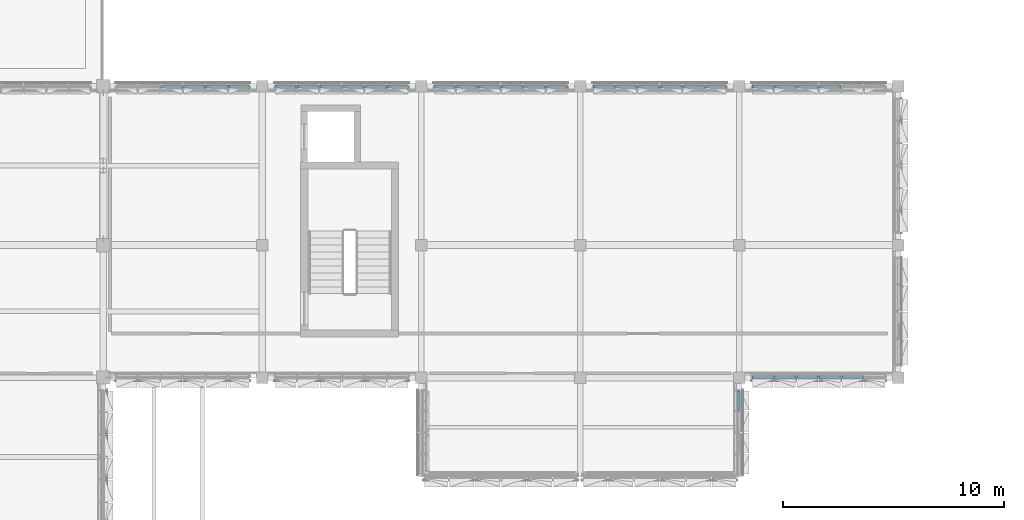
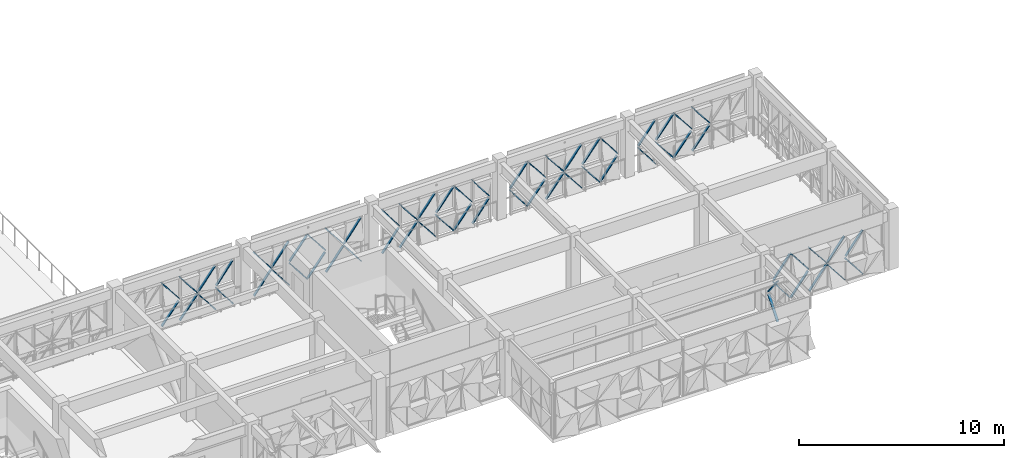
# One storey, part 61 of 99: 64 discrete accessories.
"""IFC4 building model written with IfcOpenShell, lengths in metres."""

import ifcopenshell
import ifcopenshell.guid

model = None  # the IFC model being written
_history = None  # IfcOwnerHistory: only IFC2X3 demands one
_inside = {}  # id of a spatial element -> (the spatial element, [elements in it])
_under = {}  # id of a project, library or spatial element -> (it, [spatial elements below it])
_declared = {}  # id of a project -> (the project, [libraries it declares])
_typed = {}  # id of a type object -> (the type object, [elements of that type])
_made_of = {}  # id of a material, layer set ... -> (it, [elements and type objects made of it])


def new_model(schema):
    """Start an empty IFC model of exactly this schema.

    Asked for "IFC4X3", IfcOpenShell would pick the latest addendum, in which some entities
    have other attributes; the version numbers below select the first issue.
    IFC2X3 requires an IfcOwnerHistory on every rooted entity: one is made here for all.
    """
    global model, _history
    if schema == "IFC4X3":
        model = ifcopenshell.file(schema_version=(4, 3, 0, 0))
    else:
        model = ifcopenshell.file(schema=schema)
    _inside.clear()
    _under.clear()
    _declared.clear()
    _typed.clear()
    _made_of.clear()
    _history = None
    if model.schema == "IFC2X3":
        org = make("IfcOrganization", Name="unknown")
        user = make(
            "IfcPersonAndOrganization",
            ThePerson=make("IfcPerson", FamilyName="unknown"),
            TheOrganization=org,
        )
        app = make(
            "IfcApplication",
            ApplicationDeveloper=org,
            Version="unknown",
            ApplicationFullName="unknown",
            ApplicationIdentifier="unknown",
        )
        _history = make(
            "IfcOwnerHistory",
            OwningUser=user,
            OwningApplication=app,
            ChangeAction="ADDED",
            CreationDate=0,
        )
    return model


def make(cls, **values):
    """One entity of the class cls with the attributes given. An attribute that is None is left unset."""
    return model.create_entity(
        cls, **{name: value for name, value in values.items() if value is not None}
    )


def rooted(cls, **values):
    """An entity with a GlobalId (a new one), such as an element, a storey or a relation."""
    return make(cls, GlobalId=ifcopenshell.guid.new(), OwnerHistory=_history, **values)


def si_unit(unit_type, name, prefix=None):
    """IfcSIUnit, for example si_unit("LENGTHUNIT", "METRE", prefix="MILLI")."""
    return make("IfcSIUnit", UnitType=unit_type, Prefix=prefix, Name=name)


def assignment(units):
    """IfcUnitAssignment: the units of a project."""
    return None if units is None else make("IfcUnitAssignment", Units=units)


def point(xyz):
    """IfcCartesianPoint."""
    return None if xyz is None else make("IfcCartesianPoint", Coordinates=xyz)


def direction(xyz):
    """IfcDirection."""
    return None if xyz is None else make("IfcDirection", DirectionRatios=xyz)


def frame(location, z_axis=None, x_axis=None):
    """IfcAxis2Placement3D, a coordinate frame: its origin and axes. An axis left out is left unset."""
    return make(
        "IfcAxis2Placement3D",
        Location=point(location),
        Axis=direction(z_axis),
        RefDirection=direction(x_axis),
    )


def frame_2d(location, x_axis=None):
    """IfcAxis2Placement2D, a coordinate frame in the plane: its origin and x axis."""
    return make(
        "IfcAxis2Placement2D", Location=point(location), RefDirection=direction(x_axis)
    )


def origin():
    """The frame at (0, 0, 0) with its axes left unset."""
    return frame((0.0, 0.0, 0.0))


def origin_2d():
    """The frame at (0, 0) in the plane with its x axis left unset."""
    return frame_2d((0.0, 0.0))


def place(relative_to, where):
    """IfcLocalPlacement: puts the frame where relative to a parent placement (None: the world)."""
    return make(
        "IfcLocalPlacement", PlacementRelTo=relative_to, RelativePlacement=where
    )


def context(
    kind, dimensions, precision=None, world=None, true_north=None, identifier=None
):
    """IfcGeometricRepresentationContext, for example the 3D "Model" context."""
    return make(
        "IfcGeometricRepresentationContext",
        ContextIdentifier=identifier,
        ContextType=kind,
        CoordinateSpaceDimension=dimensions,
        Precision=precision,
        WorldCoordinateSystem=world,
        TrueNorth=true_north,
    )


def subcontext(parent, identifier, kind, view, scale=None):
    """IfcGeometricRepresentationSubContext, for example "Body" below "Model"."""
    return make(
        "IfcGeometricRepresentationSubContext",
        ContextIdentifier=identifier,
        ContextType=kind,
        ParentContext=parent,
        TargetScale=scale,
        TargetView=view,
    )


def project(units=None, contexts=None):
    """IfcProject with its units and contexts."""
    return rooted(
        "IfcProject",
        Name="project",
        RepresentationContexts=contexts,
        UnitsInContext=assignment(units),
    )


def spatial(cls, under=None, at=None, **own):
    """A site, building, storey or space (cls), placed at a placement, below another one or the project."""
    s = rooted(cls, ObjectPlacement=at, **own)
    if under is not None:
        _under.setdefault(under.id(), (under, []))[1].append(s)
    return s


def profile(cls, at=None, kind="AREA", **sizes):
    """A parametric profile (cls). Its sizes go by their IFC names, for example OverallWidth=200.0."""
    return make(cls, ProfileType=kind, Position=at, **sizes)


def rectangle(**sizes):
    """IfcRectangleProfileDef."""
    return profile("IfcRectangleProfileDef", **sizes)


def extrude(swept, where, along, depth):
    """IfcExtrudedAreaSolid: the profile swept, set in the frame where, extruded along a direction by depth."""
    return make(
        "IfcExtrudedAreaSolid",
        SweptArea=swept,
        Position=where,
        ExtrudedDirection=direction(along),
        Depth=depth,
    )


def shape(context_of_items, identifier, shape_type, items):
    """IfcShapeRepresentation: the items that make up one representation, for example the "Body"."""
    return make(
        "IfcShapeRepresentation",
        ContextOfItems=context_of_items,
        RepresentationIdentifier=identifier,
        RepresentationType=shape_type,
        Items=items,
    )


def material(Name=None, Category=None):
    """IfcMaterial."""
    return make("IfcMaterial", Name=Name, Category=Category)


def made_of(thing, what):
    """Note that an element or type object is made of a material, layer set ...; save() writes the relation."""
    if what is not None:
        _made_of.setdefault(what.id(), (what, []))[1].append(thing)
    return thing


def type_object(cls, material=None, **own):
    """A type object (cls), such as IfcWallType, which elements share."""
    return made_of(rooted(cls, **own), material)


def element(
    cls,
    number,
    at=None,
    inside=None,
    cuts=None,
    type_object=None,
    material=None,
    context=None,
    identifier="Body",
    shape_type=None,
    held_by="IfcProductDefinitionShape",
    body=None,
    shapes=None,
    **own,
):
    """One element of the class cls, such as IfcWall. Its Tag is "e" and its number.

    at: its placement. inside: the storey or other place that contains it. cuts: it is an
    opening in that element (IfcRelVoidsElement). A single representation is given by context,
    identifier, shape_type and body (its items); several are given by shapes. held_by: the class
    of the entity that holds the representations. save() writes the other relations.
    """
    e = rooted(cls, Tag="e%d" % number, ObjectPlacement=at, **own)
    if body is not None:
        shapes = [shape(context, identifier, shape_type, body)]
    if shapes is not None:
        e.Representation = make(held_by, Representations=shapes)
    if inside is not None:
        _inside.setdefault(inside.id(), (inside, []))[1].append(e)
    if cuts is not None:
        rooted(
            "IfcRelVoidsElement", RelatingBuildingElement=cuts, RelatedOpeningElement=e
        )
    if type_object is not None:
        _typed.setdefault(type_object.id(), (type_object, []))[1].append(e)
    return made_of(e, material)


def aggregate(whole, parts):
    """IfcRelAggregates: a whole, such as a stair, and the parts it consists of."""
    return rooted("IfcRelAggregates", RelatingObject=whole, RelatedObjects=parts)


def save(model, path):
    """Write the relations noted so far, then the file.

    IfcRelAggregates (storeys below a building ...), IfcRelContainedInSpatialStructure (elements
    in a storey), IfcRelDefinesByType, IfcRelAssociatesMaterial and IfcRelDeclares: one each for
    every whole, place, type object, material and project.
    """
    for whole, parts in _under.values():
        aggregate(whole, parts)
    for where, things in _inside.values():
        rooted(
            "IfcRelContainedInSpatialStructure",
            RelatedElements=things,
            RelatingStructure=where,
        )
    for kind, things in _typed.values():
        rooted("IfcRelDefinesByType", RelatedObjects=things, RelatingType=kind)
    for what, things in _made_of.values():
        rooted("IfcRelAssociatesMaterial", RelatedObjects=things, RelatingMaterial=what)
    for by, libraries in _declared.values():
        rooted("IfcRelDeclares", RelatingContext=by, RelatedDefinitions=libraries)
    model.write(path)


model = new_model("IFC4")

# Units and contexts
model_context = context("Model", 3, precision=1e-05, world=origin(), true_north=direction((0.0, 1.0)))
body_context = subcontext(model_context, "Body", "Model", "MODEL_VIEW")
ifc_project = project(units=[si_unit("LENGTHUNIT", "METRE"), si_unit("AREAUNIT", "SQUARE_METRE"), si_unit("VOLUMEUNIT", "CUBIC_METRE"), si_unit("PLANEANGLEUNIT", "RADIAN"), si_unit("MASSUNIT", "GRAM", prefix="KILO")], contexts=[model_context])

# Site, building, storey
site_placement = place(None, origin())
site = spatial("IfcSite", under=ifc_project, at=site_placement, CompositionType="ELEMENT")
building_placement = place(site_placement, origin())
building = spatial("IfcBuilding", under=site, at=building_placement, Name="Alvorim Cloister Faculty of Sciences", CompositionType="ELEMENT")
storey_placement = place(building_placement, frame((0.0, 0.0, 12.14990234375)))
storey = spatial("IfcBuildingStorey", under=building, at=storey_placement, Name="L03", CompositionType="ELEMENT", Elevation=12.14990234375)

# Discrete accessories
ifc_material = material(Name="Aluminium Alloy 6063-T6", Category="aluminium")
discrete_accessory_type = type_object("IfcDiscreteAccessoryType", Name="ACC-DIAG-BAR", PredefinedType="BRACKET", material=ifc_material)
discrete_accessory_1_placement = place(storey_placement, frame((31.41259765625, 56.37744140625, 0.14013671875), z_axis=(0.61793418254, -0.006477959981, 0.786203143012), x_axis=(0.010482676365, 0.999945055239, 0.0)))
element("IfcDiscreteAccessory", 1, at=discrete_accessory_1_placement, inside=storey, type_object=discrete_accessory_type, Name="Diagonal Cassette Glazing Bracket ACC-01335", PredefinedType="BRACKET", context=body_context, shape_type="SweptSolid", body=[
    extrude(rectangle(XDim=0.139892578125, YDim=0.044921875, at=origin_2d()), origin(), (0.0, 0.0, 1.0), 1.545166015625),
])
discrete_accessory_2_placement = place(storey_placement, frame((31.41259765625, 56.37744140625, 2.710205078125), z_axis=(0.61785742976, -0.006477155362, -0.786263469168), x_axis=(0.010482676365, 0.999945055239, 0.0)))
element("IfcDiscreteAccessory", 2, at=discrete_accessory_2_placement, inside=storey, type_object=discrete_accessory_type, Name="Diagonal Cassette Glazing Bracket ACC-01336", PredefinedType="BRACKET", context=body_context, shape_type="SweptSolid", body=[
    extrude(rectangle(XDim=0.139892578125, YDim=0.044921875, at=origin_2d()), origin(), (0.0, 0.0, 1.0), 1.54541015625),
])
discrete_accessory_3_placement = place(storey_placement, frame((32.4326171875, 56.37744140625, 0.14013671875), z_axis=(0.61793418254, -0.006477959981, 0.786203143012), x_axis=(0.010482676365, 0.999945055239, 0.0)))
element("IfcDiscreteAccessory", 3, at=discrete_accessory_3_placement, inside=storey, type_object=discrete_accessory_type, Name="Diagonal Cassette Glazing Bracket ACC-01337", PredefinedType="BRACKET", context=body_context, shape_type="SweptSolid", body=[
    extrude(rectangle(XDim=0.139892578125, YDim=0.044921875, at=origin_2d()), origin(), (0.0, 0.0, 1.0), 1.545166015625),
])
for number, where, z_axis, x_axis, name in (
    (4, (32.4326171875, 56.37744140625, 2.710205078125), (0.61785742976, -0.006477155362, -0.786263469168), (0.010482676365, 0.999945055239, 0.0), "Diagonal Cassette Glazing Bracket ACC-01338"),
    (5, (33.452392578125, 56.37744140625, 1.35498046875), (0.618031836495, -0.00647732753, -0.786126385072), (0.010479997039, 0.999945083323, 0.0), "Diagonal Cassette Glazing Bracket ACC-01339"),
):
    element("IfcDiscreteAccessory", number, at=place(storey_placement, frame(where, z_axis=z_axis, x_axis=x_axis)), inside=storey, type_object=discrete_accessory_type, Name=name, PredefinedType="BRACKET", context=body_context, shape_type="SweptSolid", body=[
        extrude(rectangle(XDim=0.139892578125, YDim=0.044921875, at=origin_2d()), origin(), (0.0, 0.0, 1.0), 1.54541015625),
    ])
discrete_accessory_4_placement = place(storey_placement, frame((33.452392578125, 56.37744140625, 1.4951171875), z_axis=(0.617955086572, -0.006476523147, 0.786186724404), x_axis=(0.010479997039, 0.999945083323, 0.0)))
element("IfcDiscreteAccessory", 6, at=discrete_accessory_4_placement, inside=storey, type_object=discrete_accessory_type, Name="Diagonal Cassette Glazing Bracket ACC-01340", PredefinedType="BRACKET", context=body_context, shape_type="SweptSolid", body=[
    extrude(rectangle(XDim=0.139892578125, YDim=0.044921875, at=origin_2d()), origin(), (0.0, 0.0, 1.0), 1.545654296875),
])
discrete_accessory_5_placement = place(storey_placement, frame((34.472412109375, 56.37744140625, 1.35498046875), z_axis=(0.604790215644, -0.006561629754, -0.796357796519), x_axis=(0.010848792579, 0.999941150118, 0.0)))
element("IfcDiscreteAccessory", 7, at=discrete_accessory_5_placement, inside=storey, type_object=discrete_accessory_type, Name="Diagonal Cassette Glazing Bracket ACC-01341", PredefinedType="BRACKET", context=body_context, shape_type="SweptSolid", body=[
    extrude(rectangle(XDim=0.139892578125, YDim=0.044921875, at=origin_2d()), origin(), (0.0, 0.0, 1.0), 1.525390625),
])
discrete_accessory_6_placement = place(storey_placement, frame((34.472412109375, 56.37744140625, 1.4951171875), z_axis=(0.604713142785, -0.006560793558, 0.796416330151), x_axis=(0.010848792579, 0.999941150118, 0.0)))
element("IfcDiscreteAccessory", 8, at=discrete_accessory_6_placement, inside=storey, type_object=discrete_accessory_type, Name="Diagonal Cassette Glazing Bracket ACC-01342", PredefinedType="BRACKET", context=body_context, shape_type="SweptSolid", body=[
    extrude(rectangle(XDim=0.139892578125, YDim=0.044921875, at=origin_2d()), origin(), (0.0, 0.0, 1.0), 1.525634765625),
])
discrete_accessory_7_placement = place(storey_placement, frame((36.60498046875, 56.37744140625, 0.14013671875), z_axis=(0.604790215644, -0.006561629754, 0.796357796519), x_axis=(0.010848792579, 0.999941150118, 0.0)))
element("IfcDiscreteAccessory", 9, at=discrete_accessory_7_placement, inside=storey, type_object=discrete_accessory_type, Name="Diagonal Cassette Glazing Bracket ACC-01344", PredefinedType="BRACKET", context=body_context, shape_type="SweptSolid", body=[
    extrude(rectangle(XDim=0.139892578125, YDim=0.044921875, at=origin_2d()), origin(), (0.0, 0.0, 1.0), 1.525390625),
])
discrete_accessory_8_placement = place(storey_placement, frame((36.60498046875, 56.37744140625, 2.710205078125), z_axis=(0.604713142785, -0.006560793558, -0.796416330151), x_axis=(0.010848792579, 0.999941150118, 0.0)))
element("IfcDiscreteAccessory", 10, at=discrete_accessory_8_placement, inside=storey, type_object=discrete_accessory_type, Name="Diagonal Cassette Glazing Bracket ACC-01345", PredefinedType="BRACKET", context=body_context, shape_type="SweptSolid", body=[
    extrude(rectangle(XDim=0.139892578125, YDim=0.044921875, at=origin_2d()), origin(), (0.0, 0.0, 1.0), 1.525634765625),
])
discrete_accessory_9_placement = place(storey_placement, frame((37.592529296875, 56.37744140625, 1.35498046875), z_axis=(0.618031836495, -0.00647732753, -0.786126385072), x_axis=(0.010479997039, 0.999945083323, 0.0)))
element("IfcDiscreteAccessory", 11, at=discrete_accessory_9_placement, inside=storey, type_object=discrete_accessory_type, Name="Diagonal Cassette Glazing Bracket ACC-01346", PredefinedType="BRACKET", context=body_context, shape_type="SweptSolid", body=[
    extrude(rectangle(XDim=0.139892578125, YDim=0.044921875, at=origin_2d()), origin(), (0.0, 0.0, 1.0), 1.54541015625),
])
discrete_accessory_10_placement = place(storey_placement, frame((37.592529296875, 56.37744140625, 1.4951171875), z_axis=(0.617955086572, -0.006476523147, 0.786186724404), x_axis=(0.010479997039, 0.999945083323, 0.0)))
element("IfcDiscreteAccessory", 12, at=discrete_accessory_10_placement, inside=storey, type_object=discrete_accessory_type, Name="Diagonal Cassette Glazing Bracket ACC-01347", PredefinedType="BRACKET", context=body_context, shape_type="SweptSolid", body=[
    extrude(rectangle(XDim=0.139892578125, YDim=0.044921875, at=origin_2d()), origin(), (0.0, 0.0, 1.0), 1.545654296875),
])
discrete_accessory_11_placement = place(storey_placement, frame((38.612548828125, 56.37744140625, 1.35498046875), z_axis=(0.61793418254, -0.006477959981, -0.786203143012), x_axis=(0.010482676365, 0.999945055239, 0.0)))
element("IfcDiscreteAccessory", 13, at=discrete_accessory_11_placement, inside=storey, type_object=discrete_accessory_type, Name="Diagonal Cassette Glazing Bracket ACC-01348", PredefinedType="BRACKET", context=body_context, shape_type="SweptSolid", body=[
    extrude(rectangle(XDim=0.139892578125, YDim=0.044921875, at=origin_2d()), origin(), (0.0, 0.0, 1.0), 1.545166015625),
])
discrete_accessory_12_placement = place(storey_placement, frame((38.612548828125, 56.37744140625, 1.4951171875), z_axis=(0.61785742976, -0.006477155362, 0.786263469168), x_axis=(0.010482676365, 0.999945055239, 0.0)))
element("IfcDiscreteAccessory", 14, at=discrete_accessory_12_placement, inside=storey, type_object=discrete_accessory_type, Name="Diagonal Cassette Glazing Bracket ACC-01349", PredefinedType="BRACKET", context=body_context, shape_type="SweptSolid", body=[
    extrude(rectangle(XDim=0.139892578125, YDim=0.044921875, at=origin_2d()), origin(), (0.0, 0.0, 1.0), 1.54541015625),
])
discrete_accessory_13_placement = place(storey_placement, frame((39.632568359375, 56.37744140625, 0.14013671875), z_axis=(0.61793418254, -0.006477959981, 0.786203143012), x_axis=(0.010482676365, 0.999945055239, 0.0)))
element("IfcDiscreteAccessory", 15, at=discrete_accessory_13_placement, inside=storey, type_object=discrete_accessory_type, Name="Diagonal Cassette Glazing Bracket ACC-01350", PredefinedType="BRACKET", context=body_context, shape_type="SweptSolid", body=[
    extrude(rectangle(XDim=0.139892578125, YDim=0.044921875, at=origin_2d()), origin(), (0.0, 0.0, 1.0), 1.545166015625),
])
discrete_accessory_14_placement = place(storey_placement, frame((39.632568359375, 56.37744140625, 2.710205078125), z_axis=(0.61785742976, -0.006477155362, -0.786263469168), x_axis=(0.010482676365, 0.999945055239, 0.0)))
element("IfcDiscreteAccessory", 16, at=discrete_accessory_14_placement, inside=storey, type_object=discrete_accessory_type, Name="Diagonal Cassette Glazing Bracket ACC-01351", PredefinedType="BRACKET", context=body_context, shape_type="SweptSolid", body=[
    extrude(rectangle(XDim=0.139892578125, YDim=0.044921875, at=origin_2d()), origin(), (0.0, 0.0, 1.0), 1.54541015625),
])
discrete_accessory_15_placement = place(storey_placement, frame((40.652587890625, 56.37744140625, 0.14013671875), z_axis=(0.61793418254, -0.006477959981, 0.786203143012), x_axis=(0.010482676365, 0.999945055239, 0.0)))
element("IfcDiscreteAccessory", 17, at=discrete_accessory_15_placement, inside=storey, type_object=discrete_accessory_type, Name="Diagonal Cassette Glazing Bracket ACC-01352", PredefinedType="BRACKET", context=body_context, shape_type="SweptSolid", body=[
    extrude(rectangle(XDim=0.139892578125, YDim=0.044921875, at=origin_2d()), origin(), (0.0, 0.0, 1.0), 1.545166015625),
])
discrete_accessory_16_placement = place(storey_placement, frame((40.652587890625, 56.37744140625, 2.710205078125), z_axis=(0.61785742976, -0.006477155362, -0.786263469168), x_axis=(0.010482676365, 0.999945055239, 0.0)))
element("IfcDiscreteAccessory", 18, at=discrete_accessory_16_placement, inside=storey, type_object=discrete_accessory_type, Name="Diagonal Cassette Glazing Bracket ACC-01353", PredefinedType="BRACKET", context=body_context, shape_type="SweptSolid", body=[
    extrude(rectangle(XDim=0.139892578125, YDim=0.044921875, at=origin_2d()), origin(), (0.0, 0.0, 1.0), 1.54541015625),
])
discrete_accessory_17_placement = place(storey_placement, frame((41.672607421875, 56.37744140625, 1.35498046875), z_axis=(0.604688699088, -0.006562264866, -0.796434877359), x_axis=(0.010851663811, 0.999941118963, 0.0)))
element("IfcDiscreteAccessory", 19, at=discrete_accessory_17_placement, inside=storey, type_object=discrete_accessory_type, Name="Diagonal Cassette Glazing Bracket ACC-01354", PredefinedType="BRACKET", context=body_context, shape_type="SweptSolid", body=[
    extrude(rectangle(XDim=0.139892578125, YDim=0.044921875, at=origin_2d()), origin(), (0.0, 0.0, 1.0), 1.525390625),
])
discrete_accessory_18_placement = place(storey_placement, frame((41.672607421875, 56.37744140625, 1.4951171875), z_axis=(0.604611624251, -0.006561428426, 0.796493397008), x_axis=(0.010851663811, 0.999941118963, 0.0)))
element("IfcDiscreteAccessory", 20, at=discrete_accessory_18_placement, inside=storey, type_object=discrete_accessory_type, Name="Diagonal Cassette Glazing Bracket ACC-01355", PredefinedType="BRACKET", context=body_context, shape_type="SweptSolid", body=[
    extrude(rectangle(XDim=0.139892578125, YDim=0.044921875, at=origin_2d()), origin(), (0.0, 0.0, 1.0), 1.525634765625),
])
discrete_accessory_19_placement = place(storey_placement, frame((43.804931640625, 56.37744140625, 0.14013671875), z_axis=(0.604790215644, -0.006561629754, 0.796357796519), x_axis=(0.010848792579, 0.999941150118, 0.0)))
element("IfcDiscreteAccessory", 21, at=discrete_accessory_19_placement, inside=storey, type_object=discrete_accessory_type, Name="Diagonal Cassette Glazing Bracket ACC-01357", PredefinedType="BRACKET", context=body_context, shape_type="SweptSolid", body=[
    extrude(rectangle(XDim=0.139892578125, YDim=0.044921875, at=origin_2d()), origin(), (0.0, 0.0, 1.0), 1.525390625),
])
discrete_accessory_20_placement = place(storey_placement, frame((43.804931640625, 56.37744140625, 2.710205078125), z_axis=(0.604713142785, -0.006560793558, -0.796416330151), x_axis=(0.010848792579, 0.999941150118, 0.0)))
element("IfcDiscreteAccessory", 22, at=discrete_accessory_20_placement, inside=storey, type_object=discrete_accessory_type, Name="Diagonal Cassette Glazing Bracket ACC-01358", PredefinedType="BRACKET", context=body_context, shape_type="SweptSolid", body=[
    extrude(rectangle(XDim=0.139892578125, YDim=0.044921875, at=origin_2d()), origin(), (0.0, 0.0, 1.0), 1.525634765625),
])
discrete_accessory_21_placement = place(storey_placement, frame((44.79248046875, 56.37744140625, 0.14013671875), z_axis=(0.618031836495, -0.00647732753, 0.786126385072), x_axis=(0.010479997039, 0.999945083323, 0.0)))
element("IfcDiscreteAccessory", 23, at=discrete_accessory_21_placement, inside=storey, type_object=discrete_accessory_type, Name="Diagonal Cassette Glazing Bracket ACC-01359", PredefinedType="BRACKET", context=body_context, shape_type="SweptSolid", body=[
    extrude(rectangle(XDim=0.139892578125, YDim=0.044921875, at=origin_2d()), origin(), (0.0, 0.0, 1.0), 1.54541015625),
])
discrete_accessory_22_placement = place(storey_placement, frame((44.79248046875, 56.37744140625, 2.710205078125), z_axis=(0.617955086572, -0.006476523147, -0.786186724404), x_axis=(0.010479997039, 0.999945083323, 0.0)))
element("IfcDiscreteAccessory", 24, at=discrete_accessory_22_placement, inside=storey, type_object=discrete_accessory_type, Name="Diagonal Cassette Glazing Bracket ACC-01360", PredefinedType="BRACKET", context=body_context, shape_type="SweptSolid", body=[
    extrude(rectangle(XDim=0.139892578125, YDim=0.044921875, at=origin_2d()), origin(), (0.0, 0.0, 1.0), 1.545654296875),
])
discrete_accessory_23_placement = place(storey_placement, frame((45.8125, 56.37744140625, 1.35498046875), z_axis=(0.618031836495, -0.00647732753, -0.786126385072), x_axis=(0.010479997039, 0.999945083323, 0.0)))
element("IfcDiscreteAccessory", 25, at=discrete_accessory_23_placement, inside=storey, type_object=discrete_accessory_type, Name="Diagonal Cassette Glazing Bracket ACC-01361", PredefinedType="BRACKET", context=body_context, shape_type="SweptSolid", body=[
    extrude(rectangle(XDim=0.139892578125, YDim=0.044921875, at=origin_2d()), origin(), (0.0, 0.0, 1.0), 1.54541015625),
])
discrete_accessory_24_placement = place(storey_placement, frame((45.8125, 56.37744140625, 1.4951171875), z_axis=(0.617955086572, -0.006476523147, 0.786186724404), x_axis=(0.010479997039, 0.999945083323, 0.0)))
element("IfcDiscreteAccessory", 26, at=discrete_accessory_24_placement, inside=storey, type_object=discrete_accessory_type, Name="Diagonal Cassette Glazing Bracket ACC-01362", PredefinedType="BRACKET", context=body_context, shape_type="SweptSolid", body=[
    extrude(rectangle(XDim=0.139892578125, YDim=0.044921875, at=origin_2d()), origin(), (0.0, 0.0, 1.0), 1.545654296875),
])
discrete_accessory_25_placement = place(storey_placement, frame((46.83251953125, 56.37744140625, 1.35498046875), z_axis=(0.618031836495, -0.00647732753, -0.786126385072), x_axis=(0.010479997039, 0.999945083323, 0.0)))
element("IfcDiscreteAccessory", 27, at=discrete_accessory_25_placement, inside=storey, type_object=discrete_accessory_type, Name="Diagonal Cassette Glazing Bracket ACC-01363", PredefinedType="BRACKET", context=body_context, shape_type="SweptSolid", body=[
    extrude(rectangle(XDim=0.139892578125, YDim=0.044921875, at=origin_2d()), origin(), (0.0, 0.0, 1.0), 1.54541015625),
])
discrete_accessory_26_placement = place(storey_placement, frame((46.83251953125, 56.37744140625, 1.4951171875), z_axis=(0.617955086572, -0.006476523147, 0.786186724404), x_axis=(0.010479997039, 0.999945083323, 0.0)))
element("IfcDiscreteAccessory", 28, at=discrete_accessory_26_placement, inside=storey, type_object=discrete_accessory_type, Name="Diagonal Cassette Glazing Bracket ACC-01364", PredefinedType="BRACKET", context=body_context, shape_type="SweptSolid", body=[
    extrude(rectangle(XDim=0.139892578125, YDim=0.044921875, at=origin_2d()), origin(), (0.0, 0.0, 1.0), 1.545654296875),
])
discrete_accessory_27_placement = place(storey_placement, frame((47.8525390625, 56.37744140625, 0.14013671875), z_axis=(0.618031836495, -0.00647732753, 0.786126385072), x_axis=(0.010479997039, 0.999945083323, 0.0)))
element("IfcDiscreteAccessory", 29, at=discrete_accessory_27_placement, inside=storey, type_object=discrete_accessory_type, Name="Diagonal Cassette Glazing Bracket ACC-01365", PredefinedType="BRACKET", context=body_context, shape_type="SweptSolid", body=[
    extrude(rectangle(XDim=0.139892578125, YDim=0.044921875, at=origin_2d()), origin(), (0.0, 0.0, 1.0), 1.54541015625),
])
discrete_accessory_28_placement = place(storey_placement, frame((47.8525390625, 56.37744140625, 2.710205078125), z_axis=(0.617955086572, -0.006476523147, -0.786186724404), x_axis=(0.010479997039, 0.999945083323, 0.0)))
element("IfcDiscreteAccessory", 30, at=discrete_accessory_28_placement, inside=storey, type_object=discrete_accessory_type, Name="Diagonal Cassette Glazing Bracket ACC-01366", PredefinedType="BRACKET", context=body_context, shape_type="SweptSolid", body=[
    extrude(rectangle(XDim=0.139892578125, YDim=0.044921875, at=origin_2d()), origin(), (0.0, 0.0, 1.0), 1.545654296875),
])
discrete_accessory_29_placement = place(storey_placement, frame((48.87255859375, 56.37744140625, 0.14013671875), z_axis=(0.604688699088, -0.006562264866, 0.796434877359), x_axis=(0.010851663811, 0.999941118963, 0.0)))
element("IfcDiscreteAccessory", 31, at=discrete_accessory_29_placement, inside=storey, type_object=discrete_accessory_type, Name="Diagonal Cassette Glazing Bracket ACC-01367", PredefinedType="BRACKET", context=body_context, shape_type="SweptSolid", body=[
    extrude(rectangle(XDim=0.139892578125, YDim=0.044921875, at=origin_2d()), origin(), (0.0, 0.0, 1.0), 1.525390625),
])
discrete_accessory_30_placement = place(storey_placement, frame((48.87255859375, 56.37744140625, 2.710205078125), z_axis=(0.604611624251, -0.006561428426, -0.796493397008), x_axis=(0.010851663811, 0.999941118963, 0.0)))
element("IfcDiscreteAccessory", 32, at=discrete_accessory_30_placement, inside=storey, type_object=discrete_accessory_type, Name="Diagonal Cassette Glazing Bracket ACC-01368", PredefinedType="BRACKET", context=body_context, shape_type="SweptSolid", body=[
    extrude(rectangle(XDim=0.139892578125, YDim=0.044921875, at=origin_2d()), origin(), (0.0, 0.0, 1.0), 1.525634765625),
])
discrete_accessory_31_placement = place(storey_placement, frame((51.0048828125, 56.37744140625, 1.35498046875), z_axis=(0.604790215644, -0.006561629754, -0.796357796519), x_axis=(0.010848792579, 0.999941150118, 0.0)))
element("IfcDiscreteAccessory", 33, at=discrete_accessory_31_placement, inside=storey, type_object=discrete_accessory_type, Name="Diagonal Cassette Glazing Bracket ACC-01370", PredefinedType="BRACKET", context=body_context, shape_type="SweptSolid", body=[
    extrude(rectangle(XDim=0.139892578125, YDim=0.044921875, at=origin_2d()), origin(), (0.0, 0.0, 1.0), 1.525390625),
])
discrete_accessory_32_placement = place(storey_placement, frame((51.0048828125, 56.37744140625, 1.4951171875), z_axis=(0.604713142785, -0.006560793558, 0.796416330151), x_axis=(0.010848792579, 0.999941150118, 0.0)))
element("IfcDiscreteAccessory", 34, at=discrete_accessory_32_placement, inside=storey, type_object=discrete_accessory_type, Name="Diagonal Cassette Glazing Bracket ACC-01371", PredefinedType="BRACKET", context=body_context, shape_type="SweptSolid", body=[
    extrude(rectangle(XDim=0.139892578125, YDim=0.044921875, at=origin_2d()), origin(), (0.0, 0.0, 1.0), 1.525634765625),
])
discrete_accessory_33_placement = place(storey_placement, frame((51.992431640625, 56.37744140625, 0.14013671875), z_axis=(0.618031836495, -0.00647732753, 0.786126385072), x_axis=(0.010479997039, 0.999945083323, 0.0)))
element("IfcDiscreteAccessory", 35, at=discrete_accessory_33_placement, inside=storey, type_object=discrete_accessory_type, Name="Diagonal Cassette Glazing Bracket ACC-01372", PredefinedType="BRACKET", context=body_context, shape_type="SweptSolid", body=[
    extrude(rectangle(XDim=0.139892578125, YDim=0.044921875, at=origin_2d()), origin(), (0.0, 0.0, 1.0), 1.54541015625),
])
discrete_accessory_34_placement = place(storey_placement, frame((51.992431640625, 56.37744140625, 2.710205078125), z_axis=(0.617955086572, -0.006476523147, -0.786186724404), x_axis=(0.010479997039, 0.999945083323, 0.0)))
element("IfcDiscreteAccessory", 36, at=discrete_accessory_34_placement, inside=storey, type_object=discrete_accessory_type, Name="Diagonal Cassette Glazing Bracket ACC-01373", PredefinedType="BRACKET", context=body_context, shape_type="SweptSolid", body=[
    extrude(rectangle(XDim=0.139892578125, YDim=0.044921875, at=origin_2d()), origin(), (0.0, 0.0, 1.0), 1.545654296875),
])
discrete_accessory_35_placement = place(storey_placement, frame((53.012451171875, 56.37744140625, 0.14013671875), z_axis=(0.618031836495, -0.00647732753, 0.786126385072), x_axis=(0.010479997039, 0.999945083323, 0.0)))
element("IfcDiscreteAccessory", 37, at=discrete_accessory_35_placement, inside=storey, type_object=discrete_accessory_type, Name="Diagonal Cassette Glazing Bracket ACC-01374", PredefinedType="BRACKET", context=body_context, shape_type="SweptSolid", body=[
    extrude(rectangle(XDim=0.139892578125, YDim=0.044921875, at=origin_2d()), origin(), (0.0, 0.0, 1.0), 1.54541015625),
])
discrete_accessory_36_placement = place(storey_placement, frame((53.012451171875, 56.37744140625, 2.710205078125), z_axis=(0.617955086572, -0.006476523147, -0.786186724404), x_axis=(0.010479997039, 0.999945083323, 0.0)))
element("IfcDiscreteAccessory", 38, at=discrete_accessory_36_placement, inside=storey, type_object=discrete_accessory_type, Name="Diagonal Cassette Glazing Bracket ACC-01375", PredefinedType="BRACKET", context=body_context, shape_type="SweptSolid", body=[
    extrude(rectangle(XDim=0.139892578125, YDim=0.044921875, at=origin_2d()), origin(), (0.0, 0.0, 1.0), 1.545654296875),
])
discrete_accessory_37_placement = place(storey_placement, frame((54.032470703125, 56.37744140625, 1.35498046875), z_axis=(0.618031836495, -0.00647732753, -0.786126385072), x_axis=(0.010479997039, 0.999945083323, 0.0)))
element("IfcDiscreteAccessory", 39, at=discrete_accessory_37_placement, inside=storey, type_object=discrete_accessory_type, Name="Diagonal Cassette Glazing Bracket ACC-01376", PredefinedType="BRACKET", context=body_context, shape_type="SweptSolid", body=[
    extrude(rectangle(XDim=0.139892578125, YDim=0.044921875, at=origin_2d()), origin(), (0.0, 0.0, 1.0), 1.54541015625),
])
discrete_accessory_38_placement = place(storey_placement, frame((54.032470703125, 56.37744140625, 1.4951171875), z_axis=(0.617955086572, -0.006476523147, 0.786186724404), x_axis=(0.010479997039, 0.999945083323, 0.0)))
element("IfcDiscreteAccessory", 40, at=discrete_accessory_38_placement, inside=storey, type_object=discrete_accessory_type, Name="Diagonal Cassette Glazing Bracket ACC-01377", PredefinedType="BRACKET", context=body_context, shape_type="SweptSolid", body=[
    extrude(rectangle(XDim=0.139892578125, YDim=0.044921875, at=origin_2d()), origin(), (0.0, 0.0, 1.0), 1.545654296875),
])
discrete_accessory_39_placement = place(storey_placement, frame((55.052490234375, 56.37744140625, 1.35498046875), z_axis=(0.618031836495, -0.00647732753, -0.786126385072), x_axis=(0.010479997039, 0.999945083323, 0.0)))
element("IfcDiscreteAccessory", 41, at=discrete_accessory_39_placement, inside=storey, type_object=discrete_accessory_type, Name="Diagonal Cassette Glazing Bracket ACC-01378", PredefinedType="BRACKET", context=body_context, shape_type="SweptSolid", body=[
    extrude(rectangle(XDim=0.139892578125, YDim=0.044921875, at=origin_2d()), origin(), (0.0, 0.0, 1.0), 1.54541015625),
])
discrete_accessory_40_placement = place(storey_placement, frame((55.052490234375, 56.37744140625, 1.4951171875), z_axis=(0.617955086572, -0.006476523147, 0.786186724404), x_axis=(0.010479997039, 0.999945083323, 0.0)))
element("IfcDiscreteAccessory", 42, at=discrete_accessory_40_placement, inside=storey, type_object=discrete_accessory_type, Name="Diagonal Cassette Glazing Bracket ACC-01379", PredefinedType="BRACKET", context=body_context, shape_type="SweptSolid", body=[
    extrude(rectangle(XDim=0.139892578125, YDim=0.044921875, at=origin_2d()), origin(), (0.0, 0.0, 1.0), 1.545654296875),
])
discrete_accessory_41_placement = place(storey_placement, frame((56.072509765625, 56.37744140625, 0.14013671875), z_axis=(0.604790215644, -0.006561629754, 0.796357796519), x_axis=(0.010848792579, 0.999941150118, 0.0)))
element("IfcDiscreteAccessory", 43, at=discrete_accessory_41_placement, inside=storey, type_object=discrete_accessory_type, Name="Diagonal Cassette Glazing Bracket ACC-01380", PredefinedType="BRACKET", context=body_context, shape_type="SweptSolid", body=[
    extrude(rectangle(XDim=0.139892578125, YDim=0.044921875, at=origin_2d()), origin(), (0.0, 0.0, 1.0), 1.525390625),
])
discrete_accessory_42_placement = place(storey_placement, frame((56.072509765625, 56.37744140625, 2.710205078125), z_axis=(0.604713142785, -0.006560793558, -0.796416330151), x_axis=(0.010848792579, 0.999941150118, 0.0)))
element("IfcDiscreteAccessory", 44, at=discrete_accessory_42_placement, inside=storey, type_object=discrete_accessory_type, Name="Diagonal Cassette Glazing Bracket ACC-01381", PredefinedType="BRACKET", context=body_context, shape_type="SweptSolid", body=[
    extrude(rectangle(XDim=0.139892578125, YDim=0.044921875, at=origin_2d()), origin(), (0.0, 0.0, 1.0), 1.525634765625),
])
discrete_accessory_43_placement = place(storey_placement, frame((58.205078125, 56.37744140625, 1.35498046875), z_axis=(0.604688699088, -0.006562264866, -0.796434877359), x_axis=(0.010851663811, 0.999941118963, 0.0)))
element("IfcDiscreteAccessory", 45, at=discrete_accessory_43_placement, inside=storey, type_object=discrete_accessory_type, Name="Diagonal Cassette Glazing Bracket ACC-01383", PredefinedType="BRACKET", context=body_context, shape_type="SweptSolid", body=[
    extrude(rectangle(XDim=0.139892578125, YDim=0.044921875, at=origin_2d()), origin(), (0.0, 0.0, 1.0), 1.525390625),
])
discrete_accessory_44_placement = place(storey_placement, frame((58.205078125, 56.37744140625, 1.4951171875), z_axis=(0.604611624251, -0.006561428426, 0.796493397008), x_axis=(0.010851663811, 0.999941118963, 0.0)))
element("IfcDiscreteAccessory", 46, at=discrete_accessory_44_placement, inside=storey, type_object=discrete_accessory_type, Name="Diagonal Cassette Glazing Bracket ACC-01384", PredefinedType="BRACKET", context=body_context, shape_type="SweptSolid", body=[
    extrude(rectangle(XDim=0.139892578125, YDim=0.044921875, at=origin_2d()), origin(), (0.0, 0.0, 1.0), 1.525634765625),
])
discrete_accessory_45_placement = place(storey_placement, frame((59.1923828125, 56.37744140625, 1.35498046875), z_axis=(0.618031836495, -0.00647732753, -0.786126385072), x_axis=(0.010479997039, 0.999945083323, 0.0)))
element("IfcDiscreteAccessory", 47, at=discrete_accessory_45_placement, inside=storey, type_object=discrete_accessory_type, Name="Diagonal Cassette Glazing Bracket ACC-01385", PredefinedType="BRACKET", context=body_context, shape_type="SweptSolid", body=[
    extrude(rectangle(XDim=0.139892578125, YDim=0.044921875, at=origin_2d()), origin(), (0.0, 0.0, 1.0), 1.54541015625),
])
discrete_accessory_46_placement = place(storey_placement, frame((59.1923828125, 56.37744140625, 1.4951171875), z_axis=(0.617955086572, -0.006476523147, 0.786186724404), x_axis=(0.010479997039, 0.999945083323, 0.0)))
element("IfcDiscreteAccessory", 48, at=discrete_accessory_46_placement, inside=storey, type_object=discrete_accessory_type, Name="Diagonal Cassette Glazing Bracket ACC-01386", PredefinedType="BRACKET", context=body_context, shape_type="SweptSolid", body=[
    extrude(rectangle(XDim=0.139892578125, YDim=0.044921875, at=origin_2d()), origin(), (0.0, 0.0, 1.0), 1.545654296875),
])
discrete_accessory_47_placement = place(storey_placement, frame((60.21240234375, 56.37744140625, 0.14013671875), z_axis=(0.618031836495, -0.00647732753, 0.786126385072), x_axis=(0.010479997039, 0.999945083323, 0.0)))
element("IfcDiscreteAccessory", 49, at=discrete_accessory_47_placement, inside=storey, type_object=discrete_accessory_type, Name="Diagonal Cassette Glazing Bracket ACC-01387", PredefinedType="BRACKET", context=body_context, shape_type="SweptSolid", body=[
    extrude(rectangle(XDim=0.139892578125, YDim=0.044921875, at=origin_2d()), origin(), (0.0, 0.0, 1.0), 1.54541015625),
])
discrete_accessory_48_placement = place(storey_placement, frame((60.21240234375, 56.37744140625, 2.710205078125), z_axis=(0.617955086572, -0.006476523147, -0.786186724404), x_axis=(0.010479997039, 0.999945083323, 0.0)))
element("IfcDiscreteAccessory", 50, at=discrete_accessory_48_placement, inside=storey, type_object=discrete_accessory_type, Name="Diagonal Cassette Glazing Bracket ACC-01388", PredefinedType="BRACKET", context=body_context, shape_type="SweptSolid", body=[
    extrude(rectangle(XDim=0.139892578125, YDim=0.044921875, at=origin_2d()), origin(), (0.0, 0.0, 1.0), 1.545654296875),
])
discrete_accessory_49_placement = place(storey_placement, frame((61.232421875, 56.37744140625, 0.14013671875), z_axis=(0.618031836495, -0.00647732753, 0.786126385072), x_axis=(0.010479997039, 0.999945083323, 0.0)))
element("IfcDiscreteAccessory", 51, at=discrete_accessory_49_placement, inside=storey, type_object=discrete_accessory_type, Name="Diagonal Cassette Glazing Bracket ACC-01389", PredefinedType="BRACKET", context=body_context, shape_type="SweptSolid", body=[
    extrude(rectangle(XDim=0.139892578125, YDim=0.044921875, at=origin_2d()), origin(), (0.0, 0.0, 1.0), 1.54541015625),
])
discrete_accessory_50_placement = place(storey_placement, frame((61.232421875, 56.37744140625, 2.710205078125), z_axis=(0.617955086572, -0.006476523147, -0.786186724404), x_axis=(0.010479997039, 0.999945083323, 0.0)))
element("IfcDiscreteAccessory", 52, at=discrete_accessory_50_placement, inside=storey, type_object=discrete_accessory_type, Name="Diagonal Cassette Glazing Bracket ACC-01390", PredefinedType="BRACKET", context=body_context, shape_type="SweptSolid", body=[
    extrude(rectangle(XDim=0.139892578125, YDim=0.044921875, at=origin_2d()), origin(), (0.0, 0.0, 1.0), 1.545654296875),
])
discrete_accessory_51_placement = place(storey_placement, frame((58.205078125, 43.222412109375, 1.35498046875), z_axis=(0.604688699088, 0.006562264866, -0.796434877359), x_axis=(-0.010851663811, 0.999941118963, 0.0)))
element("IfcDiscreteAccessory", 53, at=discrete_accessory_51_placement, inside=storey, type_object=discrete_accessory_type, Name="Diagonal Cassette Glazing Bracket ACC-01418", PredefinedType="BRACKET", context=body_context, shape_type="SweptSolid", body=[
    extrude(rectangle(XDim=0.139892578125, YDim=0.044921875, at=origin_2d()), origin(), (0.0, 0.0, 1.0), 1.525390625),
])
discrete_accessory_52_placement = place(storey_placement, frame((58.205078125, 43.222412109375, 1.4951171875), z_axis=(0.604611624251, 0.006561428426, 0.796493397008), x_axis=(-0.010851663811, 0.999941118963, 0.0)))
element("IfcDiscreteAccessory", 54, at=discrete_accessory_52_placement, inside=storey, type_object=discrete_accessory_type, Name="Diagonal Cassette Glazing Bracket ACC-01419", PredefinedType="BRACKET", context=body_context, shape_type="SweptSolid", body=[
    extrude(rectangle(XDim=0.139892578125, YDim=0.044921875, at=origin_2d()), origin(), (0.0, 0.0, 1.0), 1.525634765625),
])
discrete_accessory_53_placement = place(storey_placement, frame((59.1923828125, 43.222412109375, 0.14013671875), z_axis=(0.618031836495, 0.00647732753, 0.786126385072), x_axis=(-0.010479997039, 0.999945083323, 0.0)))
element("IfcDiscreteAccessory", 55, at=discrete_accessory_53_placement, inside=storey, type_object=discrete_accessory_type, Name="Diagonal Cassette Glazing Bracket ACC-01420", PredefinedType="BRACKET", context=body_context, shape_type="SweptSolid", body=[
    extrude(rectangle(XDim=0.139892578125, YDim=0.044921875, at=origin_2d()), origin(), (0.0, 0.0, 1.0), 1.54541015625),
])
discrete_accessory_54_placement = place(storey_placement, frame((59.1923828125, 43.222412109375, 2.710205078125), z_axis=(0.617955086572, 0.006476523147, -0.786186724404), x_axis=(-0.010479997039, 0.999945083323, 0.0)))
element("IfcDiscreteAccessory", 56, at=discrete_accessory_54_placement, inside=storey, type_object=discrete_accessory_type, Name="Diagonal Cassette Glazing Bracket ACC-01421", PredefinedType="BRACKET", context=body_context, shape_type="SweptSolid", body=[
    extrude(rectangle(XDim=0.139892578125, YDim=0.044921875, at=origin_2d()), origin(), (0.0, 0.0, 1.0), 1.545654296875),
])
discrete_accessory_55_placement = place(storey_placement, frame((60.21240234375, 43.222412109375, 0.14013671875), z_axis=(0.618031836495, 0.00647732753, 0.786126385072), x_axis=(-0.010479997039, 0.999945083323, 0.0)))
element("IfcDiscreteAccessory", 57, at=discrete_accessory_55_placement, inside=storey, type_object=discrete_accessory_type, Name="Diagonal Cassette Glazing Bracket ACC-01422", PredefinedType="BRACKET", context=body_context, shape_type="SweptSolid", body=[
    extrude(rectangle(XDim=0.139892578125, YDim=0.044921875, at=origin_2d()), origin(), (0.0, 0.0, 1.0), 1.54541015625),
])
discrete_accessory_56_placement = place(storey_placement, frame((60.21240234375, 43.222412109375, 2.710205078125), z_axis=(0.617955086572, 0.006476523147, -0.786186724404), x_axis=(-0.010479997039, 0.999945083323, 0.0)))
element("IfcDiscreteAccessory", 58, at=discrete_accessory_56_placement, inside=storey, type_object=discrete_accessory_type, Name="Diagonal Cassette Glazing Bracket ACC-01423", PredefinedType="BRACKET", context=body_context, shape_type="SweptSolid", body=[
    extrude(rectangle(XDim=0.139892578125, YDim=0.044921875, at=origin_2d()), origin(), (0.0, 0.0, 1.0), 1.545654296875),
])
discrete_accessory_57_placement = place(storey_placement, frame((61.232421875, 43.222412109375, 1.35498046875), z_axis=(0.618031836495, 0.00647732753, -0.786126385072), x_axis=(-0.010479997039, 0.999945083323, 0.0)))
element("IfcDiscreteAccessory", 59, at=discrete_accessory_57_placement, inside=storey, type_object=discrete_accessory_type, Name="Diagonal Cassette Glazing Bracket ACC-01424", PredefinedType="BRACKET", context=body_context, shape_type="SweptSolid", body=[
    extrude(rectangle(XDim=0.139892578125, YDim=0.044921875, at=origin_2d()), origin(), (0.0, 0.0, 1.0), 1.54541015625),
])
discrete_accessory_58_placement = place(storey_placement, frame((61.232421875, 43.222412109375, 1.4951171875), z_axis=(0.617955086572, 0.006476523147, 0.786186724404), x_axis=(-0.010479997039, 0.999945083323, 0.0)))
element("IfcDiscreteAccessory", 60, at=discrete_accessory_58_placement, inside=storey, type_object=discrete_accessory_type, Name="Diagonal Cassette Glazing Bracket ACC-01425", PredefinedType="BRACKET", context=body_context, shape_type="SweptSolid", body=[
    extrude(rectangle(XDim=0.139892578125, YDim=0.044921875, at=origin_2d()), origin(), (0.0, 0.0, 1.0), 1.545654296875),
])
discrete_accessory_59_placement = place(storey_placement, frame((62.25244140625, 43.222412109375, 1.35498046875), z_axis=(0.618031836495, 0.00647732753, -0.786126385072), x_axis=(-0.010479997039, 0.999945083323, 0.0)))
element("IfcDiscreteAccessory", 61, at=discrete_accessory_59_placement, inside=storey, type_object=discrete_accessory_type, Name="Diagonal Cassette Glazing Bracket ACC-01426", PredefinedType="BRACKET", context=body_context, shape_type="SweptSolid", body=[
    extrude(rectangle(XDim=0.139892578125, YDim=0.044921875, at=origin_2d()), origin(), (0.0, 0.0, 1.0), 1.54541015625),
])
discrete_accessory_60_placement = place(storey_placement, frame((62.25244140625, 43.222412109375, 1.4951171875), z_axis=(0.617955086572, 0.006476523147, 0.786186724404), x_axis=(-0.010479997039, 0.999945083323, 0.0)))
element("IfcDiscreteAccessory", 62, at=discrete_accessory_60_placement, inside=storey, type_object=discrete_accessory_type, Name="Diagonal Cassette Glazing Bracket ACC-01427", PredefinedType="BRACKET", context=body_context, shape_type="SweptSolid", body=[
    extrude(rectangle(XDim=0.139892578125, YDim=0.044921875, at=origin_2d()), origin(), (0.0, 0.0, 1.0), 1.545654296875),
])
for number, where, z_axis, x_axis, name in (
    (63, (57.577392578125, 41.722412109375, 0.14013671875), (-0.006960531344, 0.606754610349, 0.794858725701), (-0.999934206081, -0.011470985576, 0.0), "Diagonal Cassette Glazing Bracket ACC-01437"),
    (64, (57.577392578125, 41.722412109375, 2.566162109375), (-0.006960531344, 0.606754610349, -0.794858725701), (-0.999934206081, -0.011470985576, 0.0), "Diagonal Cassette Glazing Bracket ACC-01438"),
):
    element("IfcDiscreteAccessory", number, at=place(storey_placement, frame(where, z_axis=z_axis, x_axis=x_axis)), inside=storey, type_object=discrete_accessory_type, Name=name, PredefinedType="BRACKET", context=body_context, shape_type="SweptSolid", body=[
        extrude(rectangle(XDim=0.139892578125, YDim=0.044921875, at=origin_2d()), origin(), (0.0, 0.0, 1.0), 1.43798828125),
    ])

save(model, "model.ifc")
